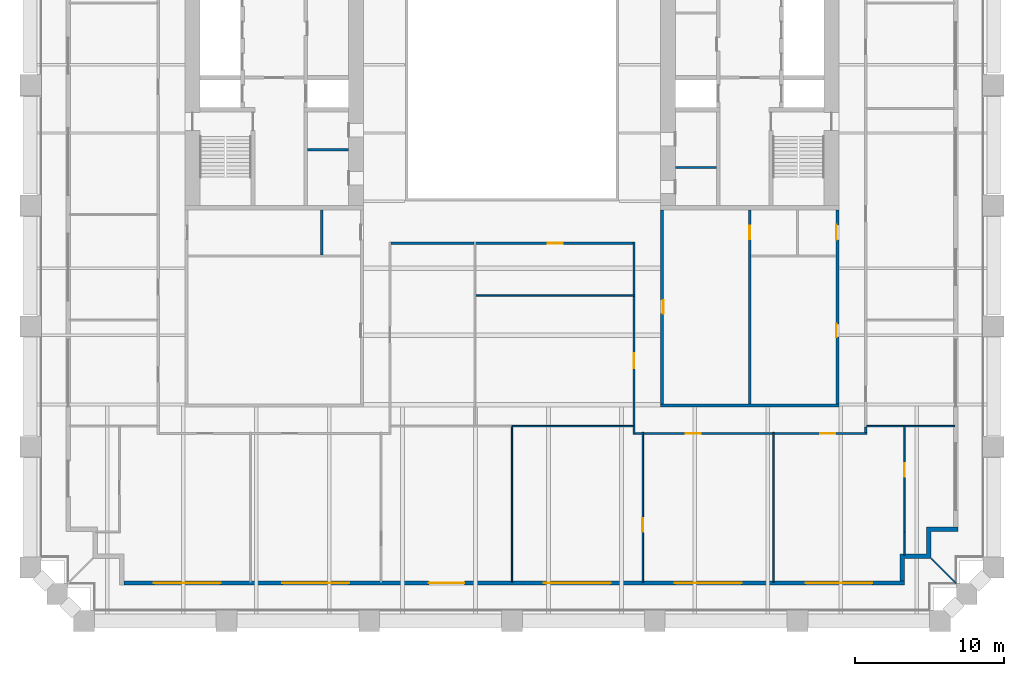
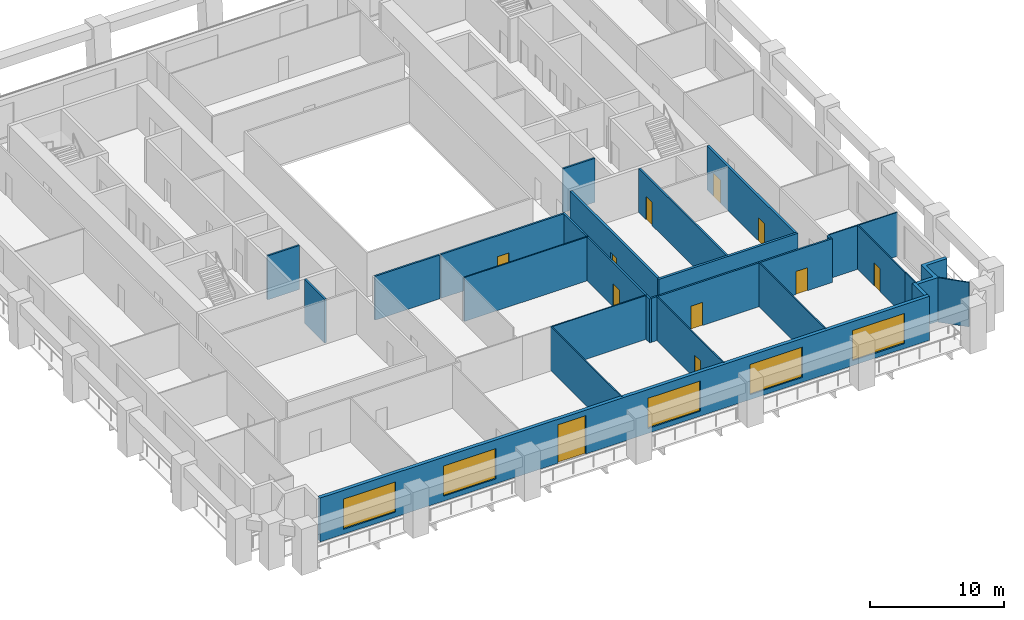
# One storey, part 4 of 9: 28 walls, 11 doors, 5 windows, 16 openings.
"""IFC4 building model written with IfcOpenShell, lengths in metres."""

import ifcopenshell
import ifcopenshell.guid

model = None  # the IFC model being written
_history = None  # IfcOwnerHistory: only IFC2X3 demands one
_inside = {}  # id of a spatial element -> (the spatial element, [elements in it])
_under = {}  # id of a project, library or spatial element -> (it, [spatial elements below it])
_declared = {}  # id of a project -> (the project, [libraries it declares])
_typed = {}  # id of a type object -> (the type object, [elements of that type])
_made_of = {}  # id of a material, layer set ... -> (it, [elements and type objects made of it])


def new_model(schema):
    """Start an empty IFC model of exactly this schema.

    Asked for "IFC4X3", IfcOpenShell would pick the latest addendum, in which some entities
    have other attributes; the version numbers below select the first issue.
    IFC2X3 requires an IfcOwnerHistory on every rooted entity: one is made here for all.
    """
    global model, _history
    if schema == "IFC4X3":
        model = ifcopenshell.file(schema_version=(4, 3, 0, 0))
    else:
        model = ifcopenshell.file(schema=schema)
    _inside.clear()
    _under.clear()
    _declared.clear()
    _typed.clear()
    _made_of.clear()
    _history = None
    if model.schema == "IFC2X3":
        org = make("IfcOrganization", Name="unknown")
        user = make(
            "IfcPersonAndOrganization",
            ThePerson=make("IfcPerson", FamilyName="unknown"),
            TheOrganization=org,
        )
        app = make(
            "IfcApplication",
            ApplicationDeveloper=org,
            Version="unknown",
            ApplicationFullName="unknown",
            ApplicationIdentifier="unknown",
        )
        _history = make(
            "IfcOwnerHistory",
            OwningUser=user,
            OwningApplication=app,
            ChangeAction="ADDED",
            CreationDate=0,
        )
    return model


def make(cls, **values):
    """One entity of the class cls with the attributes given. An attribute that is None is left unset."""
    return model.create_entity(
        cls, **{name: value for name, value in values.items() if value is not None}
    )


def rooted(cls, **values):
    """An entity with a GlobalId (a new one), such as an element, a storey or a relation."""
    return make(cls, GlobalId=ifcopenshell.guid.new(), OwnerHistory=_history, **values)


def si_unit(unit_type, name, prefix=None):
    """IfcSIUnit, for example si_unit("LENGTHUNIT", "METRE", prefix="MILLI")."""
    return make("IfcSIUnit", UnitType=unit_type, Prefix=prefix, Name=name)


def assignment(units):
    """IfcUnitAssignment: the units of a project."""
    return None if units is None else make("IfcUnitAssignment", Units=units)


def point(xyz):
    """IfcCartesianPoint."""
    return None if xyz is None else make("IfcCartesianPoint", Coordinates=xyz)


def direction(xyz):
    """IfcDirection."""
    return None if xyz is None else make("IfcDirection", DirectionRatios=xyz)


def frame(location, z_axis=None, x_axis=None):
    """IfcAxis2Placement3D, a coordinate frame: its origin and axes. An axis left out is left unset."""
    return make(
        "IfcAxis2Placement3D",
        Location=point(location),
        Axis=direction(z_axis),
        RefDirection=direction(x_axis),
    )


def frame_2d(location, x_axis=None):
    """IfcAxis2Placement2D, a coordinate frame in the plane: its origin and x axis."""
    return make(
        "IfcAxis2Placement2D", Location=point(location), RefDirection=direction(x_axis)
    )


def origin():
    """The frame at (0, 0, 0) with its axes left unset."""
    return frame((0.0, 0.0, 0.0))


def place(relative_to, where):
    """IfcLocalPlacement: puts the frame where relative to a parent placement (None: the world)."""
    return make(
        "IfcLocalPlacement", PlacementRelTo=relative_to, RelativePlacement=where
    )


def context(
    kind, dimensions, precision=None, world=None, true_north=None, identifier=None
):
    """IfcGeometricRepresentationContext, for example the 3D "Model" context."""
    return make(
        "IfcGeometricRepresentationContext",
        ContextIdentifier=identifier,
        ContextType=kind,
        CoordinateSpaceDimension=dimensions,
        Precision=precision,
        WorldCoordinateSystem=world,
        TrueNorth=true_north,
    )


def subcontext(parent, identifier, kind, view, scale=None):
    """IfcGeometricRepresentationSubContext, for example "Body" below "Model"."""
    return make(
        "IfcGeometricRepresentationSubContext",
        ContextIdentifier=identifier,
        ContextType=kind,
        ParentContext=parent,
        TargetScale=scale,
        TargetView=view,
    )


def project(units=None, contexts=None):
    """IfcProject with its units and contexts."""
    return rooted(
        "IfcProject",
        Name="project",
        RepresentationContexts=contexts,
        UnitsInContext=assignment(units),
    )


def spatial(cls, under=None, at=None, **own):
    """A site, building, storey or space (cls), placed at a placement, below another one or the project."""
    s = rooted(cls, ObjectPlacement=at, **own)
    if under is not None:
        _under.setdefault(under.id(), (under, []))[1].append(s)
    return s


def polyline(points):
    """IfcPolyline through the points."""
    return make("IfcPolyline", Points=[point(p) for p in points])


def profile(cls, at=None, kind="AREA", **sizes):
    """A parametric profile (cls). Its sizes go by their IFC names, for example OverallWidth=200.0."""
    return make(cls, ProfileType=kind, Position=at, **sizes)


def rectangle(**sizes):
    """IfcRectangleProfileDef."""
    return profile("IfcRectangleProfileDef", **sizes)


def outline(outer, holes=None, kind="AREA"):
    """IfcArbitraryClosedProfileDef: a profile drawn as a closed curve; with holes, ...WithVoids."""
    if holes is None:
        return make("IfcArbitraryClosedProfileDef", ProfileType=kind, OuterCurve=outer)
    return make(
        "IfcArbitraryProfileDefWithVoids",
        ProfileType=kind,
        OuterCurve=outer,
        InnerCurves=holes,
    )


def extrude(swept, where, along, depth):
    """IfcExtrudedAreaSolid: the profile swept, set in the frame where, extruded along a direction by depth."""
    return make(
        "IfcExtrudedAreaSolid",
        SweptArea=swept,
        Position=where,
        ExtrudedDirection=direction(along),
        Depth=depth,
    )


def shape(context_of_items, identifier, shape_type, items):
    """IfcShapeRepresentation: the items that make up one representation, for example the "Body"."""
    return make(
        "IfcShapeRepresentation",
        ContextOfItems=context_of_items,
        RepresentationIdentifier=identifier,
        RepresentationType=shape_type,
        Items=items,
    )


def material(Name=None, Category=None):
    """IfcMaterial."""
    return make("IfcMaterial", Name=Name, Category=Category)


def layer(
    of_material, thickness, ventilated=None, Name=None, Category=None, Priority=None
):
    """IfcMaterialLayer: one layer of a wall or slab, of a material (None: an air gap)."""
    return make(
        "IfcMaterialLayer",
        Material=of_material,
        LayerThickness=thickness,
        IsVentilated=ventilated,
        Name=Name,
        Category=Category,
        Priority=Priority,
    )


def layer_set(layers, Name=None):
    """IfcMaterialLayerSet."""
    return make("IfcMaterialLayerSet", MaterialLayers=layers, LayerSetName=Name)


def made_of(thing, what):
    """Note that an element or type object is made of a material, layer set ...; save() writes the relation."""
    if what is not None:
        _made_of.setdefault(what.id(), (what, []))[1].append(thing)
    return thing


def type_object(cls, material=None, **own):
    """A type object (cls), such as IfcWallType, which elements share."""
    return made_of(rooted(cls, **own), material)


def element(
    cls,
    number,
    at=None,
    inside=None,
    cuts=None,
    type_object=None,
    material=None,
    context=None,
    identifier="Body",
    shape_type=None,
    held_by="IfcProductDefinitionShape",
    body=None,
    shapes=None,
    **own,
):
    """One element of the class cls, such as IfcWall. Its Tag is "e" and its number.

    at: its placement. inside: the storey or other place that contains it. cuts: it is an
    opening in that element (IfcRelVoidsElement). A single representation is given by context,
    identifier, shape_type and body (its items); several are given by shapes. held_by: the class
    of the entity that holds the representations. save() writes the other relations.
    """
    e = rooted(cls, Tag="e%d" % number, ObjectPlacement=at, **own)
    if body is not None:
        shapes = [shape(context, identifier, shape_type, body)]
    if shapes is not None:
        e.Representation = make(held_by, Representations=shapes)
    if inside is not None:
        _inside.setdefault(inside.id(), (inside, []))[1].append(e)
    if cuts is not None:
        rooted(
            "IfcRelVoidsElement", RelatingBuildingElement=cuts, RelatedOpeningElement=e
        )
    if type_object is not None:
        _typed.setdefault(type_object.id(), (type_object, []))[1].append(e)
    return made_of(e, material)


def fill(opening, filler):
    """IfcRelFillsElement: the door or window that sits in an opening."""
    return rooted(
        "IfcRelFillsElement",
        RelatingOpeningElement=opening,
        RelatedBuildingElement=filler,
    )


def aggregate(whole, parts):
    """IfcRelAggregates: a whole, such as a stair, and the parts it consists of."""
    return rooted("IfcRelAggregates", RelatingObject=whole, RelatedObjects=parts)


def save(model, path):
    """Write the relations noted so far, then the file.

    IfcRelAggregates (storeys below a building ...), IfcRelContainedInSpatialStructure (elements
    in a storey), IfcRelDefinesByType, IfcRelAssociatesMaterial and IfcRelDeclares: one each for
    every whole, place, type object, material and project.
    """
    for whole, parts in _under.values():
        aggregate(whole, parts)
    for where, things in _inside.values():
        rooted(
            "IfcRelContainedInSpatialStructure",
            RelatedElements=things,
            RelatingStructure=where,
        )
    for kind, things in _typed.values():
        rooted("IfcRelDefinesByType", RelatedObjects=things, RelatingType=kind)
    for what, things in _made_of.values():
        rooted("IfcRelAssociatesMaterial", RelatedObjects=things, RelatingMaterial=what)
    for by, libraries in _declared.values():
        rooted("IfcRelDeclares", RelatingContext=by, RelatedDefinitions=libraries)
    model.write(path)


model = new_model("IFC4")

# Units and contexts
model_context = context("Model", 3, precision=1e-05, world=origin(), true_north=direction((0.0, 1.0)))
body_context = subcontext(model_context, "Body", "Model", "MODEL_VIEW")
ifc_project = project(units=[si_unit("LENGTHUNIT", "METRE"), si_unit("AREAUNIT", "SQUARE_METRE"), si_unit("VOLUMEUNIT", "CUBIC_METRE"), si_unit("PLANEANGLEUNIT", "RADIAN"), si_unit("MASSUNIT", "GRAM", prefix="KILO")], contexts=[model_context])

# Site, building, storey
site_placement = place(None, origin())
site = spatial("IfcSite", under=ifc_project, at=site_placement, CompositionType="ELEMENT")
building_placement = place(site_placement, origin())
building = spatial("IfcBuilding", under=site, at=building_placement, Name="Ogive Exchange Tower", CompositionType="ELEMENT")
storey_placement = place(building_placement, frame((0.0, 0.0, 56.39990234375)))
storey = spatial("IfcBuildingStorey", under=building, at=storey_placement, Name="L11", CompositionType="ELEMENT", Elevation=56.39990234375)

# Walls
ifc_material_1 = material(Name="Gypsum board partition")
ifc_layer_1 = layer(ifc_material_1, 0.14990234375)
ifc_layer_set_1 = layer_set([ifc_layer_1], Name="Core room partition 150 gypsum")
wall_type_1 = type_object("IfcWallType", Name="Core room partition 150 gypsum", PredefinedType="PARTITIONING", material=ifc_layer_set_1)
wall_1_placement = place(storey_placement, frame((-13.75, 1.300048828125, 0.0), z_axis=(0.0, 0.0, 1.0), x_axis=(1.0, 0.0, 0.0)))
element("IfcWall", 1, at=wall_1_placement, inside=storey, type_object=wall_type_1, Name="W south room partition", PredefinedType="PARTITIONING", context=body_context, shape_type="SweptSolid", body=[
    extrude(rectangle(XDim=2.75, YDim=0.14990234375, at=frame_2d((1.375, 0.0))), origin(), (0.0, 0.0, 1.0), 4.0),
])
wall_2_placement = place(storey_placement, frame((-12.800048828125, -5.77490234375, 0.0), z_axis=(0.0, 0.0, 1.0), x_axis=(0.0, 1.0, 0.0)))
element("IfcWall", 2, at=wall_2_placement, inside=storey, type_object=wall_type_1, Name="W annex S wc partition 00", PredefinedType="PARTITIONING", context=body_context, shape_type="SweptSolid", body=[
    extrude(rectangle(XDim=3.02490234375, YDim=0.14990234375, at=frame_2d((1.512451171875, 0.0))), origin(), (0.0, 0.0, 1.0), 4.0),
])
wall_3_placement = place(storey_placement, frame((11.0, 0.10009765625, 0.0), z_axis=(0.0, 0.0, 1.0), x_axis=(1.0, 0.0, 0.0)))
element("IfcWall", 3, at=wall_3_placement, inside=storey, type_object=wall_type_1, Name="E south room partition", PredefinedType="PARTITIONING", context=body_context, shape_type="SweptSolid", body=[
    extrude(rectangle(XDim=2.75, YDim=0.14990234375, at=frame_2d((1.375, 0.0))), origin(), (0.0, 0.0, 1.0), 4.0),
])

# Wall, opening, door
wall_4_placement = place(storey_placement, frame((16.0, -15.800048828125, 0.0), z_axis=(0.0, 0.0, 1.0), x_axis=(0.0, 1.0, 0.0)))
wall_4 = element("IfcWall", 4, at=wall_4_placement, inside=storey, type_object=wall_type_1, Name="E annex S column wall", PredefinedType="PARTITIONING", context=body_context, shape_type="SweptSolid", body=[
    extrude(rectangle(XDim=13.050048828125, YDim=0.14990234375, at=frame_2d((6.52490234375, 0.0))), origin(), (0.0, 0.0, 1.0), 4.0),
])
opening_1_placement = place(wall_4_placement, frame((11.08740234375, 0.0, 0.0)))
opening_1 = element("IfcOpeningElement", 5, at=opening_1_placement, cuts=wall_4, Name="Opening L11-C43", PredefinedType="OPENING", context=body_context, shape_type="SweptSolid", body=[
    extrude(rectangle(XDim=0.89990234375, YDim=2.10009765625, at=frame_2d((0.449951171875, 1.050048828125))), frame((0.0, 0.0849609375, 0.0), z_axis=(0.0, -1.0, 0.0), x_axis=(1.0, 0.0, 0.0)), (0.0, 0.0, 1.0), 0.169921875),
])
ifc_material_2 = material(Name="Timber fire door", Category="wood")
door_type_1 = type_object("IfcDoorType", Name="Core room door FD30S 900 x 2100", OperationType="NOTDEFINED", PredefinedType="DOOR", material=ifc_material_2)
door_1_placement = place(opening_1_placement, frame((0.89990234375, 0.0, 0.0), z_axis=(0.0, 0.0, 1.0), x_axis=(-1.0, 0.0, 0.0)))
door_1 = element("IfcDoor", 6, at=door_1_placement, inside=storey, type_object=door_type_1, Name="Core room door", ObjectType="CD6", OperationType="SINGLE_SWING_LEFT", OverallHeight=2.10009765625, OverallWidth=0.89990234375, PredefinedType="DOOR", context=body_context, shape_type="SweptSolid", body=[
    extrude(rectangle(XDim=0.89990234375, YDim=2.10009765625, at=frame_2d((0.449951171875, 1.050048828125))), frame((0.0, 0.02490234375, 0.0), z_axis=(0.0, -1.0, 0.0), x_axis=(1.0, 0.0, 0.0)), (0.0, 0.0, 1.0), 0.050048828125),
])
fill(opening_1, door_1)

# Walls
ifc_material_3 = material(Name="Fire partition EI 60 150")
ifc_layer_2 = layer(ifc_material_3, 0.14990234375)
ifc_layer_set_2 = layer_set([ifc_layer_2], Name="Fire partition EI 60 150")
wall_type_2 = type_object("IfcWallType", Name="Fire partition EI 60 150", PredefinedType="PARTITIONING", material=ifc_layer_set_2)
wall_5_placement = place(storey_placement, frame((-2.550048828125, -5.0, 0.0), z_axis=(0.0, 0.0, 1.0), x_axis=(-1.0, 0.0, 0.0)))
element("IfcWall", 7, at=wall_5_placement, inside=storey, type_object=wall_type_2, Name="L11-PWL-030", PredefinedType="PARTITIONING", context=body_context, shape_type="SweptSolid", body=[
    extrude(rectangle(XDim=5.574951171875, YDim=0.14990234375, at=frame_2d((2.78759765625, 0.0))), origin(), (0.0, 0.0, 1.0), 4.0),
])
wall_6_placement = place(storey_placement, frame((8.199951171875, -17.875, 0.0), z_axis=(0.0, 0.0, 1.0), x_axis=(0.0, 1.0, 0.0)))
element("IfcWall", 8, at=wall_6_placement, inside=storey, type_object=wall_type_2, Name="L11-PWL-033", PredefinedType="PARTITIONING", context=body_context, shape_type="SweptSolid", body=[
    extrude(rectangle(XDim=0.5849609375, YDim=0.14990234375, at=frame_2d((0.29248046875, 0.0))), origin(), (0.0, 0.0, 1.0), 4.0),
])

# Wall, opening, door
wall_7_placement = place(storey_placement, frame((8.199951171875, -17.2900390625, 0.0), z_axis=(0.0, 0.0, 1.0), x_axis=(0.0, 1.0, 0.0)))
wall_7 = element("IfcWall", 9, at=wall_7_placement, inside=storey, type_object=wall_type_2, Name="L11-PWL-035", PredefinedType="PARTITIONING", context=body_context, shape_type="SweptSolid", body=[
    extrude(rectangle(XDim=8.739990234375, YDim=0.14990234375, at=frame_2d((4.3701171875, 0.0))), origin(), (0.0, 0.0, 1.0), 4.0),
])
opening_2_placement = place(wall_7_placement, frame((3.889892578125, 0.0, 0.0)))
opening_2 = element("IfcOpeningElement", 10, at=opening_2_placement, cuts=wall_7, Name="Opening L11-I08", PredefinedType="OPENING", context=body_context, shape_type="SweptSolid", body=[
    extrude(rectangle(XDim=1.0, YDim=2.10009765625, at=frame_2d((0.5, 1.050048828125))), frame((0.0, 0.0849609375, 0.0), z_axis=(0.0, -1.0, 0.0), x_axis=(1.0, 0.0, 0.0)), (0.0, 0.0, 1.0), 0.169921875),
])
ifc_material_4 = material(Name="Fire door FD 30S 1000 x 2100")
door_type_2 = type_object("IfcDoorType", Name="Fire door FD 30S 1000 x 2100", OperationType="NOTDEFINED", PredefinedType="DOOR", material=ifc_material_4)
door_2_placement = place(opening_2_placement, origin())
door_2 = element("IfcDoor", 11, at=door_2_placement, inside=storey, type_object=door_type_2, Name="L11-IDR-008", ObjectType="DT3", OperationType="SINGLE_SWING_RIGHT", OverallHeight=2.10009765625, OverallWidth=1.0, PredefinedType="DOOR", context=body_context, shape_type="SweptSolid", body=[
    extrude(rectangle(XDim=1.0, YDim=2.10009765625, at=frame_2d((0.5, 1.050048828125))), frame((0.0, 0.02490234375, 0.0), z_axis=(0.0, -1.0, 0.0), x_axis=(1.0, 0.0, 0.0)), (0.0, 0.0, 1.0), 0.050048828125),
])
fill(opening_2, door_2)

# Wall
wall_8_placement = place(storey_placement, frame((8.199951171875, -8.449951171875, 0.0), z_axis=(0.0, 0.0, 1.0), x_axis=(0.0, 1.0, 0.0)))
element("IfcWall", 12, at=wall_8_placement, inside=storey, type_object=wall_type_2, Name="L11-PWL-036", PredefinedType="PARTITIONING", context=body_context, shape_type="SweptSolid", body=[
    extrude(rectangle(XDim=3.52490234375, YDim=0.14990234375, at=frame_2d((1.762451171875, 0.0))), origin(), (0.0, 0.0, 1.0), 4.0),
])

# Wall, opening, door
wall_9_placement = place(storey_placement, frame((8.125, -5.0, 0.0), z_axis=(0.0, 0.0, 1.0), x_axis=(-1.0, 0.0, 0.0)))
wall_9 = element("IfcWall", 13, at=wall_9_placement, inside=storey, type_object=wall_type_2, Name="L11-PWL-037", PredefinedType="PARTITIONING", context=body_context, shape_type="SweptSolid", body=[
    extrude(rectangle(XDim=10.574951171875, YDim=0.14990234375, at=frame_2d((5.28759765625, 0.0))), origin(), (0.0, 0.0, 1.0), 4.0),
])
opening_3_placement = place(wall_9_placement, frame((4.72509765625, 0.0, 0.0)))
opening_3 = element("IfcOpeningElement", 14, at=opening_3_placement, cuts=wall_9, Name="Opening L11-I09", PredefinedType="OPENING", context=body_context, shape_type="SweptSolid", body=[
    extrude(rectangle(XDim=1.0, YDim=2.10009765625, at=frame_2d((0.5, 1.050048828125))), frame((0.0, 0.0849609375, 0.0), z_axis=(0.0, -1.0, 0.0), x_axis=(1.0, 0.0, 0.0)), (0.0, 0.0, 1.0), 0.169921875),
])
door_3_placement = place(opening_3_placement, origin())
door_3 = element("IfcDoor", 15, at=door_3_placement, inside=storey, type_object=door_type_2, Name="L11-IDR-009", ObjectType="DT3", OperationType="SINGLE_SWING_RIGHT", OverallHeight=2.10009765625, OverallWidth=1.0, PredefinedType="DOOR", context=body_context, shape_type="SweptSolid", body=[
    extrude(rectangle(XDim=1.0, YDim=2.10009765625, at=frame_2d((0.5, 1.050048828125))), frame((0.0, 0.02490234375, 0.0), z_axis=(0.0, -1.0, 0.0), x_axis=(1.0, 0.0, 0.0)), (0.0, 0.0, 1.0), 0.050048828125),
])
fill(opening_3, door_3)

# Wall
wall_10_placement = place(storey_placement, frame((8.75, -17.800048828125, 0.0), z_axis=(0.0, 0.0, 1.0), x_axis=(-1.0, 0.0, 0.0)))
element("IfcWall", 16, at=wall_10_placement, inside=storey, type_object=wall_type_2, Name="L11-PWL-042", PredefinedType="PARTITIONING", context=body_context, shape_type="SweptSolid", body=[
    extrude(rectangle(XDim=0.47509765625, YDim=0.14990234375, at=frame_2d((0.237548828125, 0.0))), origin(), (0.0, 0.0, 1.0), 4.0),
])

# Wall, opening, door
wall_11_placement = place(storey_placement, frame((17.550048828125, -17.800048828125, 0.0), z_axis=(0.0, 0.0, 1.0), x_axis=(-1.0, 0.0, 0.0)))
wall_11 = element("IfcWall", 17, at=wall_11_placement, inside=storey, type_object=wall_type_2, Name="L11-PWL-044", PredefinedType="PARTITIONING", context=body_context, shape_type="SweptSolid", body=[
    extrude(rectangle(XDim=8.699951171875, YDim=0.14990234375, at=frame_2d((4.35009765625, 0.0))), origin(), (0.0, 0.0, 1.0), 4.0),
])
opening_4_placement = place(wall_11_placement, frame((4.85009765625, 0.0, 0.0)))
opening_4 = element("IfcOpeningElement", 18, at=opening_4_placement, cuts=wall_11, Name="Opening L11-I16", PredefinedType="OPENING", context=body_context, shape_type="SweptSolid", body=[
    extrude(rectangle(XDim=1.0, YDim=2.10009765625, at=frame_2d((0.5, 1.050048828125))), frame((0.0, 0.0849609375, 0.0), z_axis=(0.0, -1.0, 0.0), x_axis=(1.0, 0.0, 0.0)), (0.0, 0.0, 1.0), 0.169921875),
])
door_4_placement = place(opening_4_placement, origin())
door_4 = element("IfcDoor", 19, at=door_4_placement, inside=storey, type_object=door_type_2, Name="L11-IDR-016", ObjectType="DT3", OperationType="SINGLE_SWING_LEFT", OverallHeight=2.10009765625, OverallWidth=1.0, PredefinedType="DOOR", context=body_context, shape_type="SweptSolid", body=[
    extrude(rectangle(XDim=1.0, YDim=2.10009765625, at=frame_2d((0.5, 1.050048828125))), frame((0.0, 0.02490234375, 0.0), z_axis=(0.0, -1.0, 0.0), x_axis=(1.0, 0.0, 0.0)), (0.0, 0.0, 1.0), 0.050048828125),
])
fill(opening_4, door_4)

wall_12_placement = place(storey_placement, frame((23.875, -17.800048828125, 0.0), z_axis=(0.0, 0.0, 1.0), x_axis=(-1.0, 0.0, 0.0)))
wall_12 = element("IfcWall", 20, at=wall_12_placement, inside=storey, type_object=wall_type_2, Name="L11-PWL-046", PredefinedType="PARTITIONING", context=body_context, shape_type="SweptSolid", body=[
    extrude(rectangle(XDim=6.22509765625, YDim=0.14990234375, at=frame_2d((3.112548828125, 0.0))), origin(), (0.0, 0.0, 1.0), 4.0),
])
opening_5_placement = place(wall_12_placement, frame((2.125, 0.0, 0.0)))
opening_5 = element("IfcOpeningElement", 21, at=opening_5_placement, cuts=wall_12, Name="Opening L11-I15", PredefinedType="OPENING", context=body_context, shape_type="SweptSolid", body=[
    extrude(rectangle(XDim=1.0, YDim=2.10009765625, at=frame_2d((0.5, 1.050048828125))), frame((0.0, 0.0849609375, 0.0), z_axis=(0.0, -1.0, 0.0), x_axis=(1.0, 0.0, 0.0)), (0.0, 0.0, 1.0), 0.169921875),
])
door_5_placement = place(opening_5_placement, origin())
door_5 = element("IfcDoor", 22, at=door_5_placement, inside=storey, type_object=door_type_2, Name="L11-IDR-015", ObjectType="DT3", OperationType="SINGLE_SWING_LEFT", OverallHeight=2.10009765625, OverallWidth=1.0, PredefinedType="DOOR", context=body_context, shape_type="SweptSolid", body=[
    extrude(rectangle(XDim=1.0, YDim=2.10009765625, at=frame_2d((0.5, 1.050048828125))), frame((0.0, 0.02490234375, 0.0), z_axis=(0.0, -1.0, 0.0), x_axis=(1.0, 0.0, 0.0)), (0.0, 0.0, 1.0), 0.050048828125),
])
fill(opening_5, door_5)

# Wall
wall_13_placement = place(storey_placement, frame((23.800048828125, -17.340087890625, 0.0), z_axis=(0.0, 0.0, 1.0), x_axis=(0.0, -1.0, 0.0)))
element("IfcWall", 23, at=wall_13_placement, inside=storey, type_object=wall_type_2, Name="L11-PWL-047", PredefinedType="PARTITIONING", context=body_context, shape_type="SweptSolid", body=[
    extrude(rectangle(XDim=0.385009765625, YDim=0.14990234375, at=frame_2d((0.1923828125, 0.0))), origin(), (0.0, 0.0, 1.0), 4.0),
])

# Wall, openings, door, windows
ifc_material_5 = material(Name="Precast concrete C40/50", Category="concrete")
ifc_layer_3 = layer(ifc_material_5, 0.300048828125)
ifc_layer_set_3 = layer_set([ifc_layer_3], Name="Limestone-faced wall 300")
wall_type_3 = type_object("IfcWallType", Name="Limestone-faced wall 300", PredefinedType="STANDARD", material=ifc_layer_set_3)
wall_14_placement = place(storey_placement, frame((-26.10009765625, -27.85009765625, 0.0), z_axis=(0.0, 0.0, 1.0), x_axis=(1.0, 0.0, 0.0)))
wall_14 = element("IfcWall", 24, at=wall_14_placement, inside=storey, type_object=wall_type_3, Name="External wall S1", PredefinedType="STANDARD", context=body_context, shape_type="SweptSolid", body=[
    extrude(rectangle(XDim=52.5, YDim=0.300048828125, at=frame_2d((26.25, 0.0))), origin(), (0.0, 0.0, 1.0), 4.0),
])
opening_6_placement = place(wall_14_placement, frame((2.0, 0.0, 0.449951171875)))
opening_6 = element("IfcOpeningElement", 25, at=opening_6_placement, cuts=wall_14, Name="Opening W1H", PredefinedType="OPENING", context=body_context, shape_type="SweptSolid", body=[
    extrude(rectangle(XDim=4.5, YDim=2.75, at=frame_2d((2.25, 1.375))), frame((0.0, 0.159912109375, 0.0), z_axis=(0.0, -1.0, 0.0), x_axis=(1.0, 0.0, 0.0)), (0.0, 0.0, 1.0), 0.320068359375),
])
opening_7_placement = place(wall_14_placement, frame((10.64990234375, 0.0, 0.449951171875)))
opening_7 = element("IfcOpeningElement", 26, at=opening_7_placement, cuts=wall_14, Name="Opening W1H", PredefinedType="OPENING", context=body_context, shape_type="SweptSolid", body=[
    extrude(rectangle(XDim=4.5, YDim=2.75, at=frame_2d((2.25, 1.375))), frame((0.0, 0.159912109375, 0.0), z_axis=(0.0, -1.0, 0.0), x_axis=(1.0, 0.0, 0.0)), (0.0, 0.0, 1.0), 0.320068359375),
])
opening_8_placement = place(wall_14_placement, frame((20.5, 0.0, 0.0)))
opening_8 = element("IfcOpeningElement", 27, at=opening_8_placement, cuts=wall_14, Name="Opening D1", PredefinedType="OPENING", context=body_context, shape_type="SweptSolid", body=[
    extrude(rectangle(XDim=2.39990234375, YDim=3.5, at=frame_2d((1.199951171875, 1.75))), frame((0.0, 0.159912109375, 0.0), z_axis=(0.0, -1.0, 0.0), x_axis=(1.0, 0.0, 0.0)), (0.0, 0.0, 1.0), 0.320068359375),
])
opening_9_placement = place(wall_14_placement, frame((28.25, 0.0, 0.449951171875)))
opening_9 = element("IfcOpeningElement", 28, at=opening_9_placement, cuts=wall_14, Name="Opening W1H", PredefinedType="OPENING", context=body_context, shape_type="SweptSolid", body=[
    extrude(rectangle(XDim=4.5, YDim=2.75, at=frame_2d((2.25, 1.375))), frame((0.0, 0.159912109375, 0.0), z_axis=(0.0, -1.0, 0.0), x_axis=(1.0, 0.0, 0.0)), (0.0, 0.0, 1.0), 0.320068359375),
])
opening_10_placement = place(wall_14_placement, frame((37.050048828125, 0.0, 0.449951171875)))
opening_10 = element("IfcOpeningElement", 29, at=opening_10_placement, cuts=wall_14, Name="Opening W1H", PredefinedType="OPENING", context=body_context, shape_type="SweptSolid", body=[
    extrude(rectangle(XDim=4.5, YDim=2.75, at=frame_2d((2.25, 1.375))), frame((0.0, 0.159912109375, 0.0), z_axis=(0.0, -1.0, 0.0), x_axis=(1.0, 0.0, 0.0)), (0.0, 0.0, 1.0), 0.320068359375),
])
opening_11_placement = place(wall_14_placement, frame((45.85009765625, 0.0, 0.449951171875)))
opening_11 = element("IfcOpeningElement", 30, at=opening_11_placement, cuts=wall_14, Name="Opening W1H", PredefinedType="OPENING", context=body_context, shape_type="SweptSolid", body=[
    extrude(rectangle(XDim=4.5, YDim=2.75, at=frame_2d((2.25, 1.375))), frame((0.0, 0.159912109375, 0.0), z_axis=(0.0, -1.0, 0.0), x_axis=(1.0, 0.0, 0.0)), (0.0, 0.0, 1.0), 0.320068359375),
])
ifc_material_6 = material(Name="Clear glass in bronze frame", Category="glass")
door_type_3 = type_object("IfcDoorType", Name="Sliding loggia door 2400 x 3500", OperationType="DOUBLE_DOOR_SLIDING", PredefinedType="DOOR", material=ifc_material_6)
door_6_placement = place(opening_8_placement, origin())
door_6 = element("IfcDoor", 31, at=door_6_placement, inside=storey, type_object=door_type_3, Name="Loggia door S02", OperationType="DOUBLE_DOOR_SLIDING", OverallHeight=3.5, OverallWidth=2.39990234375, PredefinedType="DOOR", context=body_context, shape_type="SweptSolid", body=[
    extrude(rectangle(XDim=2.39990234375, YDim=3.5, at=frame_2d((1.199951171875, 1.75))), frame((0.0, 0.02490234375, 0.0), z_axis=(0.0, -1.0, 0.0), x_axis=(1.0, 0.0, 0.0)), (0.0, 0.0, 1.0), 0.050048828125),
])
fill(opening_8, door_6)
window_type = type_object("IfcWindowType", Name="Twin lancet window 4500 x 2750", PartitioningType="DOUBLE_PANEL_VERTICAL", PredefinedType="WINDOW", material=ifc_material_6)
window_1_placement = place(opening_6_placement, origin())
window_1 = element("IfcWindow", 32, at=window_1_placement, inside=storey, type_object=window_type, Name="Window S00", OverallHeight=2.75, OverallWidth=4.5, PartitioningType="DOUBLE_PANEL_VERTICAL", PredefinedType="WINDOW", context=body_context, shape_type="SweptSolid", body=[
    extrude(rectangle(XDim=4.5, YDim=2.75, at=frame_2d((2.25, 1.375))), frame((0.0, 0.030029296875, 0.0), z_axis=(0.0, -1.0, 0.0), x_axis=(1.0, 0.0, 0.0)), (0.0, 0.0, 1.0), 0.06005859375),
])
fill(opening_6, window_1)
window_2_placement = place(opening_7_placement, origin())
window_2 = element("IfcWindow", 33, at=window_2_placement, inside=storey, type_object=window_type, Name="Window S01", OverallHeight=2.75, OverallWidth=4.5, PartitioningType="DOUBLE_PANEL_VERTICAL", PredefinedType="WINDOW", context=body_context, shape_type="SweptSolid", body=[
    extrude(rectangle(XDim=4.5, YDim=2.75, at=frame_2d((2.25, 1.375))), frame((0.0, 0.030029296875, 0.0), z_axis=(0.0, -1.0, 0.0), x_axis=(1.0, 0.0, 0.0)), (0.0, 0.0, 1.0), 0.06005859375),
])
fill(opening_7, window_2)
window_3_placement = place(opening_9_placement, origin())
window_3 = element("IfcWindow", 34, at=window_3_placement, inside=storey, type_object=window_type, Name="Window S03", OverallHeight=2.75, OverallWidth=4.5, PartitioningType="DOUBLE_PANEL_VERTICAL", PredefinedType="WINDOW", context=body_context, shape_type="SweptSolid", body=[
    extrude(rectangle(XDim=4.5, YDim=2.75, at=frame_2d((2.25, 1.375))), frame((0.0, 0.030029296875, 0.0), z_axis=(0.0, -1.0, 0.0), x_axis=(1.0, 0.0, 0.0)), (0.0, 0.0, 1.0), 0.06005859375),
])
fill(opening_9, window_3)
window_4_placement = place(opening_10_placement, origin())
window_4 = element("IfcWindow", 35, at=window_4_placement, inside=storey, type_object=window_type, Name="Window S04", OverallHeight=2.75, OverallWidth=4.5, PartitioningType="DOUBLE_PANEL_VERTICAL", PredefinedType="WINDOW", context=body_context, shape_type="SweptSolid", body=[
    extrude(rectangle(XDim=4.5, YDim=2.75, at=frame_2d((2.25, 1.375))), frame((0.0, 0.030029296875, 0.0), z_axis=(0.0, -1.0, 0.0), x_axis=(1.0, 0.0, 0.0)), (0.0, 0.0, 1.0), 0.06005859375),
])
fill(opening_10, window_4)
window_5_placement = place(opening_11_placement, origin())
window_5 = element("IfcWindow", 36, at=window_5_placement, inside=storey, type_object=window_type, Name="Window S05", OverallHeight=2.75, OverallWidth=4.5, PartitioningType="DOUBLE_PANEL_VERTICAL", PredefinedType="WINDOW", context=body_context, shape_type="SweptSolid", body=[
    extrude(rectangle(XDim=4.5, YDim=2.75, at=frame_2d((2.25, 1.375))), frame((0.0, 0.030029296875, 0.0), z_axis=(0.0, -1.0, 0.0), x_axis=(1.0, 0.0, 0.0)), (0.0, 0.0, 1.0), 0.06005859375),
])
fill(opening_11, window_5)

# Walls
wall_15_placement = place(storey_placement, origin())
element("IfcWall", 37, at=wall_15_placement, inside=storey, type_object=wall_type_3, Name="External corner wall C1", PredefinedType="STANDARD", context=body_context, shape_type="SweptSolid", body=[
    extrude(outline(polyline([(27.89990234375, -25.89990234375), (27.89990234375, -24.10009765625), (30.0, -24.10009765625), (30.0, -24.39990234375), (28.199951171875, -24.39990234375), (28.199951171875, -26.199951171875), (26.39990234375, -26.199951171875), (26.39990234375, -27.699951171875), (26.10009765625, -27.699951171875), (26.10009765625, -25.89990234375), (27.89990234375, -25.89990234375)])), origin(), (0.0, 0.0, 1.0), 4.0),
])
ifc_material_7 = material(Name="Laminated safety glass in steel frame", Category="steel")
ifc_layer_4 = layer(ifc_material_7, 0.10009765625)
ifc_layer_set_4 = layer_set([ifc_layer_4], Name="Loggia end screen 100")
wall_type_4 = type_object("IfcWallType", Name="Loggia end screen 100", PredefinedType="STANDARD", material=ifc_layer_set_4)
wall_16_placement = place(storey_placement, frame((28.199951171875, -26.199951171875, -0.0498046875), z_axis=(0.0, 0.0, 1.0), x_axis=(0.707106781187, -0.707106781187, 0.0)))
element("IfcWall", 38, at=wall_16_placement, inside=storey, type_object=wall_type_4, Name="Loggia end screen C1", PredefinedType="STANDARD", context=body_context, shape_type="SweptSolid", body=[
    extrude(rectangle(XDim=2.384521484375, YDim=0.10009765625, at=frame_2d((1.1923828125, 0.0))), origin(), (0.0, 0.0, 1.0), 4.0498046875),
])
ifc_material_8 = material(Name="Partition 100 gypsum")
ifc_layer_5 = layer(ifc_material_8, 0.10009765625)
ifc_layer_set_5 = layer_set([ifc_layer_5], Name="Partition 100 gypsum")
wall_type_5 = type_object("IfcWallType", Name="Partition 100 gypsum", PredefinedType="PARTITIONING", material=ifc_layer_set_5)
wall_17_placement = place(storey_placement, frame((-2.449951171875, -8.5, 0.0), z_axis=(0.0, 0.0, 1.0), x_axis=(1.0, 0.0, 0.0)))
element("IfcWall", 39, at=wall_17_placement, inside=storey, type_object=wall_type_5, Name="L11-PWL-029", PredefinedType="PARTITIONING", context=body_context, shape_type="SweptSolid", body=[
    extrude(rectangle(XDim=10.724853515625, YDim=0.10009765625, at=frame_2d((5.3623046875, 0.0))), origin(), (0.0, 0.0, 1.0), 4.0),
])
wall_18_placement = place(storey_placement, frame((0.0, -27.800048828125, 0.0), z_axis=(0.0, 0.0, 1.0), x_axis=(0.0, 1.0, 0.0)))
element("IfcWall", 40, at=wall_18_placement, inside=storey, type_object=wall_type_5, Name="L11-PWL-031", PredefinedType="PARTITIONING", context=body_context, shape_type="SweptSolid", body=[
    extrude(rectangle(XDim=10.56005859375, YDim=0.10009765625, at=frame_2d((5.280029296875, 0.0))), origin(), (0.0, 0.0, 1.0), 4.0),
])
wall_19_placement = place(storey_placement, frame((8.125, -17.2900390625, 0.0), z_axis=(0.0, 0.0, 1.0), x_axis=(-1.0, 0.0, 0.0)))
element("IfcWall", 41, at=wall_19_placement, inside=storey, type_object=wall_type_5, Name="L11-PWL-034", PredefinedType="PARTITIONING", context=body_context, shape_type="SweptSolid", body=[
    extrude(rectangle(XDim=8.074951171875, YDim=0.10009765625, at=frame_2d((4.03759765625, 0.0))), origin(), (0.0, 0.0, 1.0), 4.0),
])

# Wall, opening, door
wall_20_placement = place(storey_placement, frame((8.800048828125, -27.800048828125, 0.0), z_axis=(0.0, 0.0, 1.0), x_axis=(0.0, 1.0, 0.0)))
wall_20 = element("IfcWall", 42, at=wall_20_placement, inside=storey, type_object=wall_type_5, Name="L11-PWL-041", PredefinedType="PARTITIONING", context=body_context, shape_type="SweptSolid", body=[
    extrude(rectangle(XDim=10.074951171875, YDim=0.10009765625, at=frame_2d((5.03759765625, 0.0))), origin(), (0.0, 0.0, 1.0), 4.0),
])
opening_12_placement = place(wall_20_placement, frame((3.39990234375, 0.0, 0.0)))
opening_12 = element("IfcOpeningElement", 43, at=opening_12_placement, cuts=wall_20, Name="Opening L11-I17", PredefinedType="OPENING", context=body_context, shape_type="SweptSolid", body=[
    extrude(rectangle(XDim=0.89990234375, YDim=2.10009765625, at=frame_2d((0.449951171875, 1.050048828125))), frame((0.0, 0.06005859375, 0.0), z_axis=(0.0, -1.0, 0.0), x_axis=(1.0, 0.0, 0.0)), (0.0, 0.0, 1.0), 0.1201171875),
])
ifc_material_9 = material(Name="Door 900 x 2100")
door_type_4 = type_object("IfcDoorType", Name="Door 900 x 2100", OperationType="NOTDEFINED", PredefinedType="DOOR", material=ifc_material_9)
door_7_placement = place(opening_12_placement, frame((0.89990234375, 0.0, 0.0), z_axis=(0.0, 0.0, 1.0), x_axis=(-1.0, 0.0, 0.0)))
door_7 = element("IfcDoor", 44, at=door_7_placement, inside=storey, type_object=door_type_4, Name="L11-IDR-017", ObjectType="DT1", OperationType="SINGLE_SWING_LEFT", OverallHeight=2.10009765625, OverallWidth=0.89990234375, PredefinedType="DOOR", context=body_context, shape_type="SweptSolid", body=[
    extrude(rectangle(XDim=0.89990234375, YDim=2.10009765625, at=frame_2d((0.449951171875, 1.050048828125))), frame((0.0, 0.02490234375, 0.0), z_axis=(0.0, -1.0, 0.0), x_axis=(1.0, 0.0, 0.0)), (0.0, 0.0, 1.0), 0.050048828125),
])
fill(opening_12, door_7)

# Wall
wall_21_placement = place(storey_placement, frame((17.60009765625, -27.800048828125, 0.0), z_axis=(0.0, 0.0, 1.0), x_axis=(0.0, 1.0, 0.0)))
element("IfcWall", 45, at=wall_21_placement, inside=storey, type_object=wall_type_5, Name="L11-PWL-043", PredefinedType="PARTITIONING", context=body_context, shape_type="SweptSolid", body=[
    extrude(rectangle(XDim=10.074951171875, YDim=0.10009765625, at=frame_2d((5.03759765625, 0.0))), origin(), (0.0, 0.0, 1.0), 4.0),
])

# Wall, opening, door
wall_22_placement = place(storey_placement, frame((26.39990234375, -24.409912109375, 0.0), z_axis=(0.0, 0.0, 1.0), x_axis=(0.0, 1.0, 0.0)))
wall_22 = element("IfcWall", 46, at=wall_22_placement, inside=storey, type_object=wall_type_5, Name="L11-PWL-052", PredefinedType="PARTITIONING", context=body_context, shape_type="SweptSolid", body=[
    extrude(rectangle(XDim=7.169921875, YDim=0.10009765625, at=frame_2d((3.5849609375, 0.0))), origin(), (0.0, 0.0, 1.0), 4.0),
])
opening_13_placement = place(wall_22_placement, frame((3.699951171875, 0.0, 0.0)))
opening_13 = element("IfcOpeningElement", 47, at=opening_13_placement, cuts=wall_22, Name="Opening L11-I14", PredefinedType="OPENING", context=body_context, shape_type="SweptSolid", body=[
    extrude(rectangle(XDim=0.89990234375, YDim=2.10009765625, at=frame_2d((0.449951171875, 1.050048828125))), frame((0.0, 0.06005859375, 0.0), z_axis=(0.0, -1.0, 0.0), x_axis=(1.0, 0.0, 0.0)), (0.0, 0.0, 1.0), 0.1201171875),
])
door_8_placement = place(opening_13_placement, frame((0.89990234375, 0.0, 0.0), z_axis=(0.0, 0.0, 1.0), x_axis=(-1.0, 0.0, 0.0)))
door_8 = element("IfcDoor", 48, at=door_8_placement, inside=storey, type_object=door_type_4, Name="L11-IDR-014", ObjectType="DT1", OperationType="SINGLE_SWING_RIGHT", OverallHeight=2.10009765625, OverallWidth=0.89990234375, PredefinedType="DOOR", context=body_context, shape_type="SweptSolid", body=[
    extrude(rectangle(XDim=0.89990234375, YDim=2.10009765625, at=frame_2d((0.449951171875, 1.050048828125))), frame((0.0, 0.02490234375, 0.0), z_axis=(0.0, -1.0, 0.0), x_axis=(1.0, 0.0, 0.0)), (0.0, 0.0, 1.0), 0.050048828125),
])
fill(opening_13, door_8)

# Walls
wall_23_placement = place(storey_placement, frame((26.35009765625, -17.2900390625, 0.0), z_axis=(0.0, 0.0, 1.0), x_axis=(-1.0, 0.0, 0.0)))
element("IfcWall", 49, at=wall_23_placement, inside=storey, type_object=wall_type_5, Name="L11-PWL-053", PredefinedType="PARTITIONING", context=body_context, shape_type="SweptSolid", body=[
    extrude(rectangle(XDim=2.47509765625, YDim=0.10009765625, at=frame_2d((1.237548828125, 0.0))), origin(), (0.0, 0.0, 1.0), 4.0),
])
wall_24_placement = place(storey_placement, frame((26.409912109375, -26.0, 0.0), z_axis=(0.0, 0.0, 1.0), x_axis=(0.0, 1.0, 0.0)))
element("IfcWall", 50, at=wall_24_placement, inside=storey, type_object=wall_type_5, Name="L11-PWL-054", PredefinedType="PARTITIONING", context=body_context, shape_type="SweptSolid", body=[
    extrude(rectangle(XDim=1.590087890625, YDim=0.10009765625, at=frame_2d((0.794921875, 0.0))), origin(), (0.0, 0.0, 1.0), 4.0),
])
wall_25_placement = place(storey_placement, frame((29.800048828125, -17.2900390625, 0.0), z_axis=(0.0, 0.0, 1.0), x_axis=(-1.0, 0.0, 0.0)))
element("IfcWall", 51, at=wall_25_placement, inside=storey, type_object=wall_type_5, Name="L11-PWL-055", PredefinedType="PARTITIONING", context=body_context, shape_type="SweptSolid", body=[
    extrude(rectangle(XDim=3.35009765625, YDim=0.10009765625, at=frame_2d((1.675048828125, 0.0))), origin(), (0.0, 0.0, 1.0), 4.0),
])

# Wall, openings, doors
ifc_material_10 = material(Name="Concrete C70/85", Category="concrete")
ifc_layer_6 = layer(ifc_material_10, 0.199951171875)
ifc_layer_set_6 = layer_set([ifc_layer_6], Name="RC core wall 200 C70/85")
wall_type_6 = type_object("IfcWallType", Name="RC core wall 200 C70/85", PredefinedType="SHEAR", material=ifc_layer_set_6)
wall_26_placement = place(storey_placement, frame((21.89990234375, -15.800048828125, 0.0), z_axis=(0.0, 0.0, 1.0), x_axis=(0.0, 1.0, 0.0)))
wall_26 = element("IfcWall", 52, at=wall_26_placement, inside=storey, type_object=wall_type_6, Name="E annex S outer wall", PredefinedType="SHEAR", context=body_context, shape_type="SweptSolid", body=[
    extrude(rectangle(XDim=13.050048828125, YDim=0.199951171875, at=frame_2d((6.52490234375, 0.0))), origin(), (0.0, 0.0, 1.0), 4.0),
])
opening_14_placement = place(wall_26_placement, frame((4.487548828125, 0.0, 0.0)))
opening_14 = element("IfcOpeningElement", 53, at=opening_14_placement, cuts=wall_26, Name="Opening L11-C41", PredefinedType="OPENING", context=body_context, shape_type="SweptSolid", body=[
    extrude(rectangle(XDim=0.89990234375, YDim=2.10009765625, at=frame_2d((0.449951171875, 1.050048828125))), frame((0.0, 0.10986328125, 0.0), z_axis=(0.0, -1.0, 0.0), x_axis=(1.0, 0.0, 0.0)), (0.0, 0.0, 1.0), 0.219970703125),
])
opening_15_placement = place(wall_26_placement, frame((11.03759765625, 0.0, 0.0)))
opening_15 = element("IfcOpeningElement", 54, at=opening_15_placement, cuts=wall_26, Name="Opening L11-C42", PredefinedType="OPENING", context=body_context, shape_type="SweptSolid", body=[
    extrude(rectangle(XDim=1.0, YDim=2.10009765625, at=frame_2d((0.5, 1.050048828125))), frame((0.0, 0.10986328125, 0.0), z_axis=(0.0, -1.0, 0.0), x_axis=(1.0, 0.0, 0.0)), (0.0, 0.0, 1.0), 0.219970703125),
])
door_type_5 = type_object("IfcDoorType", Name="Accessible WC door FD30S 1000 x 2100", OperationType="NOTDEFINED", PredefinedType="DOOR", material=ifc_material_2)
door_9_placement = place(opening_15_placement, origin())
door_9 = element("IfcDoor", 55, at=door_9_placement, inside=storey, type_object=door_type_5, Name="Accessible WC door", ObjectType="CD7", OperationType="SINGLE_SWING_RIGHT", OverallHeight=2.10009765625, OverallWidth=1.0, PredefinedType="DOOR", context=body_context, shape_type="SweptSolid", body=[
    extrude(rectangle(XDim=1.0, YDim=2.10009765625, at=frame_2d((0.5, 1.050048828125))), frame((0.0, 0.10009765625, 0.0), z_axis=(0.0, -1.0, 0.0), x_axis=(1.0, 0.0, 0.0)), (0.0, 0.0, 1.0), 0.050048828125),
])
fill(opening_15, door_9)
ifc_material_11 = material(Name="Steel fire door", Category="steel")
door_type_6 = type_object("IfcDoorType", Name="Riser door FD60 900 x 2100", OperationType="NOTDEFINED", PredefinedType="DOOR", material=ifc_material_11)
door_10_placement = place(opening_14_placement, origin())
door_10 = element("IfcDoor", 56, at=door_10_placement, inside=storey, type_object=door_type_6, Name="Riser door", ObjectType="CD2", OperationType="SINGLE_SWING_RIGHT", OverallHeight=2.10009765625, OverallWidth=0.89990234375, PredefinedType="DOOR", context=body_context, shape_type="SweptSolid", body=[
    extrude(rectangle(XDim=0.89990234375, YDim=2.10009765625, at=frame_2d((0.449951171875, 1.050048828125))), frame((0.0, 0.10009765625, 0.0), z_axis=(0.0, -1.0, 0.0), x_axis=(1.0, 0.0, 0.0)), (0.0, 0.0, 1.0), 0.050048828125),
])
fill(opening_14, door_10)

# Wall, opening, door
wall_27_placement = place(storey_placement, frame((10.10009765625, -15.800048828125, 0.0), z_axis=(0.0, 0.0, 1.0), x_axis=(0.0, 1.0, 0.0)))
wall_27 = element("IfcWall", 57, at=wall_27_placement, inside=storey, type_object=wall_type_6, Name="E annex S inner wall", PredefinedType="SHEAR", context=body_context, shape_type="SweptSolid", body=[
    extrude(rectangle(XDim=13.050048828125, YDim=0.199951171875, at=frame_2d((6.52490234375, 0.0))), origin(), (0.0, 0.0, 1.0), 4.0),
])
opening_16_placement = place(wall_27_placement, frame((6.074951171875, 0.0, 0.0)))
opening_16 = element("IfcOpeningElement", 58, at=opening_16_placement, cuts=wall_27, Name="Opening L11-C44", PredefinedType="OPENING", context=body_context, shape_type="SweptSolid", body=[
    extrude(rectangle(XDim=0.89990234375, YDim=2.10009765625, at=frame_2d((0.449951171875, 1.050048828125))), frame((0.0, 0.10986328125, 0.0), z_axis=(0.0, -1.0, 0.0), x_axis=(1.0, 0.0, 0.0)), (0.0, 0.0, 1.0), 0.219970703125),
])
door_11_placement = place(opening_16_placement, frame((0.89990234375, -0.14990234375, 0.0), z_axis=(0.0, 0.0, 1.0), x_axis=(-1.0, 0.0, 0.0)))
door_11 = element("IfcDoor", 59, at=door_11_placement, inside=storey, type_object=door_type_1, Name="Core room door", ObjectType="CD6", OperationType="SINGLE_SWING_RIGHT", OverallHeight=2.10009765625, OverallWidth=0.89990234375, PredefinedType="DOOR", context=body_context, shape_type="SweptSolid", body=[
    extrude(rectangle(XDim=0.89990234375, YDim=2.10009765625, at=frame_2d((0.449951171875, 1.050048828125))), frame((0.0, -0.0498046875, 0.0), z_axis=(0.0, -1.0, 0.0), x_axis=(1.0, 0.0, 0.0)), (0.0, 0.0, 1.0), 0.050048828125),
])
fill(opening_16, door_11)

# Wall
wall_28_placement = place(storey_placement, frame((10.0, -15.89990234375, 0.0), z_axis=(0.0, 0.0, 1.0), x_axis=(1.0, 0.0, 0.0)))
element("IfcWall", 60, at=wall_28_placement, inside=storey, type_object=wall_type_6, Name="E annex S end wall", PredefinedType="SHEAR", context=body_context, shape_type="SweptSolid", body=[
    extrude(rectangle(XDim=12.0, YDim=0.199951171875, at=frame_2d((6.0, 0.0))), origin(), (0.0, 0.0, 1.0), 4.0),
])

save(model, "model.ifc")
